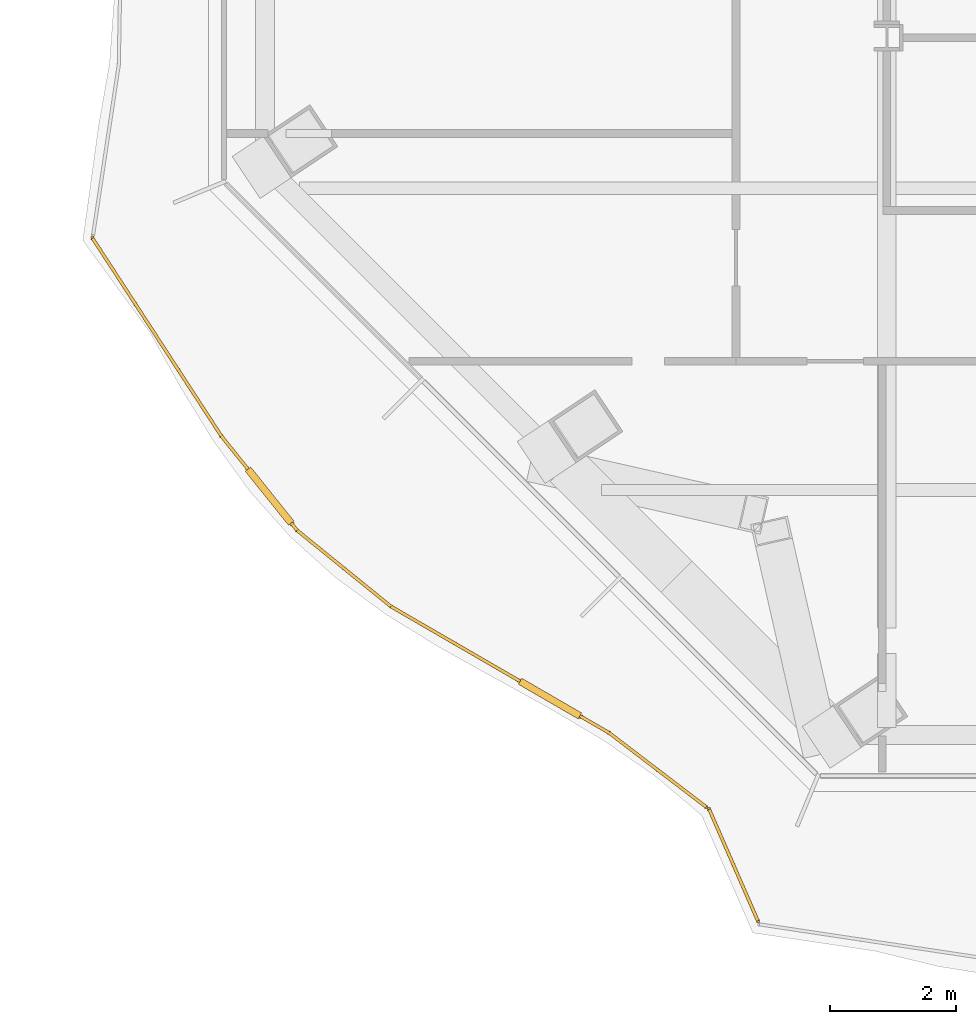
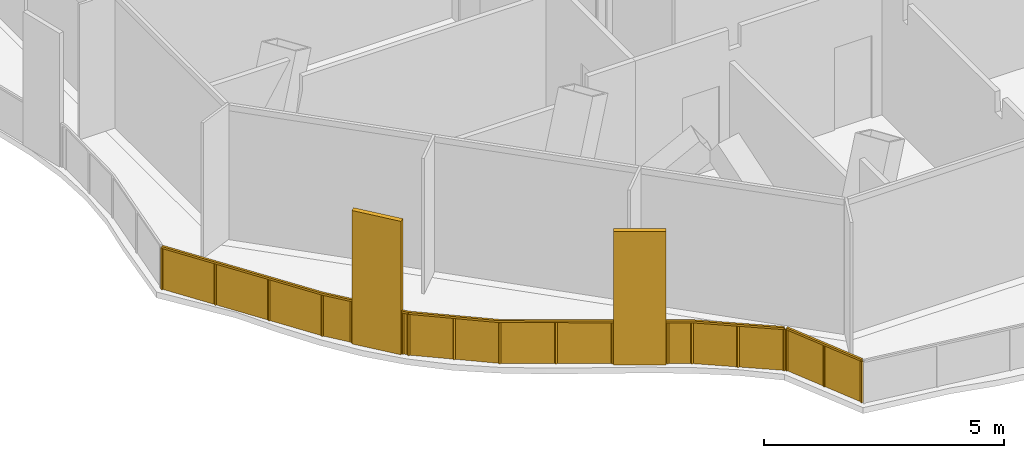
# One storey, part 12 of 20: 2 railings.
"""IFC4 building model written with IfcOpenShell, lengths in metres."""

from ifc_helpers import new_model, si_unit, direction, frame, origin, origin_2d, place, context, subcontext, project, spatial, polyline, rectangle, outline, extrude, material, type_object, element, save


model = new_model("IFC4")

# Units and contexts
model_context = context("Model", 3, precision=1e-05, world=origin(), true_north=direction((0.0, 1.0)))
body_context = subcontext(model_context, "Body", "Model", "MODEL_VIEW")
ifc_project = project(units=[si_unit("LENGTHUNIT", "METRE"), si_unit("AREAUNIT", "SQUARE_METRE"), si_unit("VOLUMEUNIT", "CUBIC_METRE"), si_unit("PLANEANGLEUNIT", "RADIAN"), si_unit("MASSUNIT", "GRAM", prefix="KILO")], contexts=[model_context])

# Site, building, storey
site_placement = place(None, origin())
site = spatial("IfcSite", under=ifc_project, at=site_placement, CompositionType="ELEMENT")
building_placement = place(site_placement, origin())
building = spatial("IfcBuilding", under=site, at=building_placement, Name="Cairn Pilgrim Tower", CompositionType="ELEMENT")
storey_placement = place(building_placement, frame((0.0, 0.0, 101.39990234375)))
storey = spatial("IfcBuildingStorey", under=building, at=storey_placement, Name="L24", CompositionType="ELEMENT", Elevation=101.39990234375)

# Railings
ifc_material_1 = material(Name="Bronze anodised aluminium rail and posts with laminated glass infill", Category="aluminium")
railing_type_1 = type_object("IfcRailingType", Name="BALCONY GUARD 1100", PredefinedType="GUARDRAIL", material=ifc_material_1)
railing_1_placement = place(storey_placement, frame((-17.227294921875, -21.882080078125, 0.0)))
element("IfcRailing", 1, at=railing_1_placement, inside=storey, type_object=railing_type_1, Name="Balcony guard BG-9", PredefinedType="GUARDRAIL", context=body_context, shape_type="SweptSolid", body=[
    extrude(rectangle(XDim=0.050048828125, YDim=0.050048828125, at=origin_2d()), frame((0.0, 0.0, 1.0751953125), z_axis=(0.40006562225, -0.916486496297, 0.0), x_axis=(0.916486496297, 0.40006562225, 0.0)), (0.0, 0.0, 1.0), 1.938720703125),
    extrude(rectangle(XDim=0.050048828125, YDim=0.050048828125, at=origin_2d()), origin(), (0.0, 0.0, 1.0), 1.050048828125),
    extrude(rectangle(XDim=0.050048828125, YDim=0.050048828125, at=origin_2d()), frame((0.3876953125, -0.888427734375, 0.0)), (0.0, 0.0, 1.0), 1.050048828125),
    extrude(rectangle(XDim=0.050048828125, YDim=0.050048828125, at=origin_2d()), frame((0.775634765625, -1.77685546875, 0.0)), (0.0, 0.0, 1.0), 1.050048828125),
    extrude(outline(polyline([(0.02490234375, 0.0), (0.9443359375, 0.0), (0.9443359375, 1.050048828125), (0.02490234375, 1.050048828125), (0.02490234375, 0.0)])), frame((0.00537109375, 0.00244140625, 0.0), z_axis=(-0.916486496297, -0.40006562225, 0.0), x_axis=(0.40006562225, -0.916486496297, 0.0)), (0.0, 0.0, 1.0), 0.011962890625),
    extrude(outline(polyline([(0.02490234375, 0.0), (0.9443359375, 0.0), (0.9443359375, 1.050048828125), (0.02490234375, 1.050048828125), (0.02490234375, 0.0)])), frame((0.393310546875, -0.885986328125, 0.0), z_axis=(-0.916486496297, -0.40006562225, 0.0), x_axis=(0.40006562225, -0.916486496297, 0.0)), (0.0, 0.0, 1.0), 0.011962890625),
])
ifc_material_2 = material(Name="Bronze anodised aluminium rail, posts and fin screens with laminated glass infill", Category="aluminium")
railing_type_2 = type_object("IfcRailingType", Name="BALCONY GUARD WITH FIN SCREENS", PredefinedType="GUARDRAIL", material=ifc_material_2)
railing_2_placement = place(storey_placement, frame((-27.041748046875, -12.793701171875, 0.0)))
element("IfcRailing", 2, at=railing_2_placement, inside=storey, type_object=railing_type_2, Name="Balcony guard BGF-8 with fin screens", PredefinedType="GUARDRAIL", context=body_context, shape_type="SweptSolid", body=[
    extrude(rectangle(XDim=0.050048828125, YDim=0.050048828125, at=origin_2d()), frame((0.0, 0.0, 1.0751953125), z_axis=(0.545605216334, -0.838042330619, 0.0), x_axis=(0.838042330619, 0.545605216334, 0.0)), (0.0, 0.0, 1.0), 3.755126953125),
    extrude(rectangle(XDim=1.10009765625, YDim=0.110107421875, at=origin_2d()), frame((2.817626953125, -4.10400390625, 0.0), z_axis=(0.0, 0.0, 1.0), x_axis=(0.626238537095, -0.779631512099, 0.0)), (0.0, 0.0, 1.0), 3.39990234375),
    extrude(rectangle(XDim=0.050048828125, YDim=0.050048828125, at=origin_2d()), frame((2.048828125, -3.14697265625, 1.0751953125), z_axis=(0.626238537095, -0.779631512099, 0.0), x_axis=(0.779631512099, 0.626238537095, 0.0)), (0.0, 0.0, 1.0), 0.677490234375),
    extrude(rectangle(XDim=0.050048828125, YDim=0.050048828125, at=origin_2d()), frame((3.161865234375, -4.53271484375, 1.0751953125), z_axis=(0.626238537095, -0.779631512099, 0.0), x_axis=(0.779631512099, 0.626238537095, 0.0)), (0.0, 0.0, 1.0), 0.14990234375),
    extrude(rectangle(XDim=0.050048828125, YDim=0.050048828125, at=origin_2d()), frame((3.255859375, -4.649658203125, 1.0751953125), z_axis=(0.77680108048, -0.629746045137, 0.0), x_axis=(0.629746045137, 0.77680108048, 0.0)), (0.0, 0.0, 1.0), 1.922607421875),
    extrude(rectangle(XDim=1.10009765625, YDim=0.110107421875, at=origin_2d()), frame((7.281005859375, -7.326904296875, 0.0), z_axis=(0.0, 0.0, 1.0), x_axis=(0.865310997869, -0.501235350875, 0.0)), (0.0, 0.0, 1.0), 3.39990234375),
    extrude(rectangle(XDim=0.050048828125, YDim=0.050048828125, at=origin_2d()), frame((4.749267578125, -5.8603515625, 1.0751953125), z_axis=(0.865310997869, -0.501235350875, 0.0), x_axis=(0.501235350875, 0.865310997869, 0.0)), (0.0, 0.0, 1.0), 2.375732421875),
    extrude(rectangle(XDim=0.050048828125, YDim=0.050048828125, at=origin_2d()), frame((7.7568359375, -7.6025390625, 1.0751953125), z_axis=(0.865310997869, -0.501235350875, 0.0), x_axis=(0.501235350875, 0.865310997869, 0.0)), (0.0, 0.0, 1.0), 0.536376953125),
    extrude(rectangle(XDim=0.050048828125, YDim=0.050048828125, at=origin_2d()), frame((8.220947265625, -7.871337890625, 1.0751953125), z_axis=(0.794728185829, -0.606965493788, 0.0), x_axis=(0.606965493788, 0.794728185829, 0.0)), (0.0, 0.0, 1.0), 1.9453125),
    extrude(rectangle(XDim=0.050048828125, YDim=0.050048828125, at=origin_2d()), origin(), (0.0, 0.0, 1.0), 1.050048828125),
    extrude(rectangle(XDim=0.050048828125, YDim=0.050048828125, at=origin_2d()), frame((0.682861328125, -1.049072265625, 0.0)), (0.0, 0.0, 1.0), 1.050048828125),
    extrude(rectangle(XDim=0.050048828125, YDim=0.050048828125, at=origin_2d()), frame((1.365966796875, -2.097900390625, 0.0)), (0.0, 0.0, 1.0), 1.050048828125),
    extrude(rectangle(XDim=0.050048828125, YDim=0.050048828125, at=origin_2d()), frame((2.048828125, -3.14697265625, 0.0)), (0.0, 0.0, 1.0), 1.050048828125),
    extrude(rectangle(XDim=0.050048828125, YDim=0.050048828125, at=origin_2d()), frame((2.45751953125, -3.655517578125, 0.0)), (0.0, 0.0, 1.0), 1.050048828125),
    extrude(rectangle(XDim=0.050048828125, YDim=0.050048828125, at=origin_2d()), frame((3.177490234375, -4.55224609375, 0.0)), (0.0, 0.0, 1.0), 1.050048828125),
    extrude(rectangle(XDim=0.050048828125, YDim=0.050048828125, at=origin_2d()), frame((3.255859375, -4.649658203125, 0.0)), (0.0, 0.0, 1.0), 1.050048828125),
    extrude(rectangle(XDim=0.050048828125, YDim=0.050048828125, at=origin_2d()), frame((4.00244140625, -5.2548828125, 0.0)), (0.0, 0.0, 1.0), 1.050048828125),
    extrude(rectangle(XDim=0.050048828125, YDim=0.050048828125, at=origin_2d()), frame((4.749267578125, -5.8603515625, 0.0)), (0.0, 0.0, 1.0), 1.050048828125),
    extrude(rectangle(XDim=0.050048828125, YDim=0.050048828125, at=origin_2d()), frame((5.766357421875, -6.449462890625, 0.0)), (0.0, 0.0, 1.0), 1.050048828125),
    extrude(rectangle(XDim=0.050048828125, YDim=0.050048828125, at=origin_2d()), frame((6.783447265625, -7.03857421875, 0.0)), (0.0, 0.0, 1.0), 1.050048828125),
    extrude(rectangle(XDim=0.050048828125, YDim=0.050048828125, at=origin_2d()), frame((7.778564453125, -7.614990234375, 0.0)), (0.0, 0.0, 1.0), 1.050048828125),
    extrude(rectangle(XDim=0.050048828125, YDim=0.050048828125, at=origin_2d()), frame((8.220947265625, -7.871337890625, 0.0)), (0.0, 0.0, 1.0), 1.050048828125),
    extrude(rectangle(XDim=0.050048828125, YDim=0.050048828125, at=origin_2d()), frame((8.993896484375, -8.461669921875, 0.0)), (0.0, 0.0, 1.0), 1.050048828125),
    extrude(rectangle(XDim=0.050048828125, YDim=0.050048828125, at=origin_2d()), frame((9.766845703125, -9.052001953125, 0.0)), (0.0, 0.0, 1.0), 1.050048828125),
    extrude(outline(polyline([(0.02490234375, 0.0), (1.226806640625, 0.0), (1.226806640625, 1.050048828125), (0.02490234375, 1.050048828125), (0.02490234375, 0.0)])), frame((0.005126953125, 0.003173828125, 0.0), z_axis=(-0.838042330619, -0.545605216334, 0.0), x_axis=(0.545605216334, -0.838042330619, 0.0)), (0.0, 0.0, 1.0), 0.011962890625),
    extrude(outline(polyline([(0.02490234375, 0.0), (1.226806640625, 0.0), (1.226806640625, 1.050048828125), (0.02490234375, 1.050048828125), (0.02490234375, 0.0)])), frame((0.68798828125, -1.045654296875, 0.0), z_axis=(-0.838042330619, -0.545605216334, 0.0), x_axis=(0.545605216334, -0.838042330619, 0.0)), (0.0, 0.0, 1.0), 0.011962890625),
    extrude(outline(polyline([(0.02490234375, 0.0), (1.226806640625, 0.0), (1.226806640625, 1.050048828125), (0.02490234375, 1.050048828125), (0.02490234375, 0.0)])), frame((1.370849609375, -2.0947265625, 0.0), z_axis=(-0.838042330619, -0.545605216334, 0.0), x_axis=(0.545605216334, -0.838042330619, 0.0)), (0.0, 0.0, 1.0), 0.011962890625),
    extrude(outline(polyline([(0.02490234375, 0.0), (0.62744140625, 0.0), (0.62744140625, 1.050048828125), (0.02490234375, 1.050048828125), (0.02490234375, 0.0)])), frame((2.053466796875, -3.143310546875, 0.0), z_axis=(-0.779631512099, -0.626238537095, 0.0), x_axis=(0.626238537095, -0.779631512099, 0.0)), (0.0, 0.0, 1.0), 0.011962890625),
    extrude(outline(polyline([(0.02490234375, 0.0), (0.099853515625, 0.0), (0.099853515625, 1.050048828125), (0.02490234375, 1.050048828125), (0.02490234375, 0.0)])), frame((3.182373046875, -4.548583984375, 0.0), z_axis=(-0.779631512099, -0.626238537095, 0.0), x_axis=(0.626238537095, -0.779631512099, 0.0)), (0.0, 0.0, 1.0), 0.011962890625),
    extrude(outline(polyline([(0.02490234375, 0.0), (0.936279296875, 0.0), (0.936279296875, 1.050048828125), (0.02490234375, 1.050048828125), (0.02490234375, 0.0)])), frame((3.259521484375, -4.64501953125, 0.0), z_axis=(-0.629746045137, -0.77680108048, 0.0), x_axis=(0.77680108048, -0.629746045137, 0.0)), (0.0, 0.0, 1.0), 0.011962890625),
    extrude(outline(polyline([(0.02490234375, 0.0), (0.936279296875, 0.0), (0.936279296875, 1.050048828125), (0.02490234375, 1.050048828125), (0.02490234375, 0.0)])), frame((4.00634765625, -5.250244140625, 0.0), z_axis=(-0.629746045137, -0.77680108048, 0.0), x_axis=(0.77680108048, -0.629746045137, 0.0)), (0.0, 0.0, 1.0), 0.011962890625),
    extrude(outline(polyline([(0.02490234375, 0.0), (1.150390625, 0.0), (1.150390625, 1.050048828125), (0.02490234375, 1.050048828125), (0.02490234375, 0.0)])), frame((4.752197265625, -5.855224609375, 0.0), z_axis=(-0.501235350875, -0.865310997869, 0.0), x_axis=(0.865310997869, -0.501235350875, 0.0)), (0.0, 0.0, 1.0), 0.011962890625),
    extrude(outline(polyline([(0.02490234375, 0.0), (1.150390625, 0.0), (1.150390625, 1.050048828125), (0.02490234375, 1.050048828125), (0.02490234375, 0.0)])), frame((5.769287109375, -6.4443359375, 0.0), z_axis=(-0.501235350875, -0.865310997869, 0.0), x_axis=(0.865310997869, -0.501235350875, 0.0)), (0.0, 0.0, 1.0), 0.011962890625),
    extrude(outline(polyline([(0.02490234375, 0.0), (0.486328125, 0.0), (0.486328125, 1.050048828125), (0.02490234375, 1.050048828125), (0.02490234375, 0.0)])), frame((7.781494140625, -7.60986328125, 0.0), z_axis=(-0.501235350875, -0.865310997869, 0.0), x_axis=(0.865310997869, -0.501235350875, 0.0)), (0.0, 0.0, 1.0), 0.011962890625),
    extrude(outline(polyline([(0.02490234375, 0.0), (0.947509765625, 0.0), (0.947509765625, 1.050048828125), (0.02490234375, 1.050048828125), (0.02490234375, 0.0)])), frame((8.224609375, -7.86669921875, 0.0), z_axis=(-0.606965493788, -0.794728185829, 0.0), x_axis=(0.794728185829, -0.606965493788, 0.0)), (0.0, 0.0, 1.0), 0.011962890625),
    extrude(outline(polyline([(0.02490234375, 0.0), (0.947509765625, 0.0), (0.947509765625, 1.050048828125), (0.02490234375, 1.050048828125), (0.02490234375, 0.0)])), frame((8.99755859375, -8.45703125, 0.0), z_axis=(-0.606965493788, -0.794728185829, 0.0), x_axis=(0.794728185829, -0.606965493788, 0.0)), (0.0, 0.0, 1.0), 0.011962890625),
])

save(model, "model.ifc")
